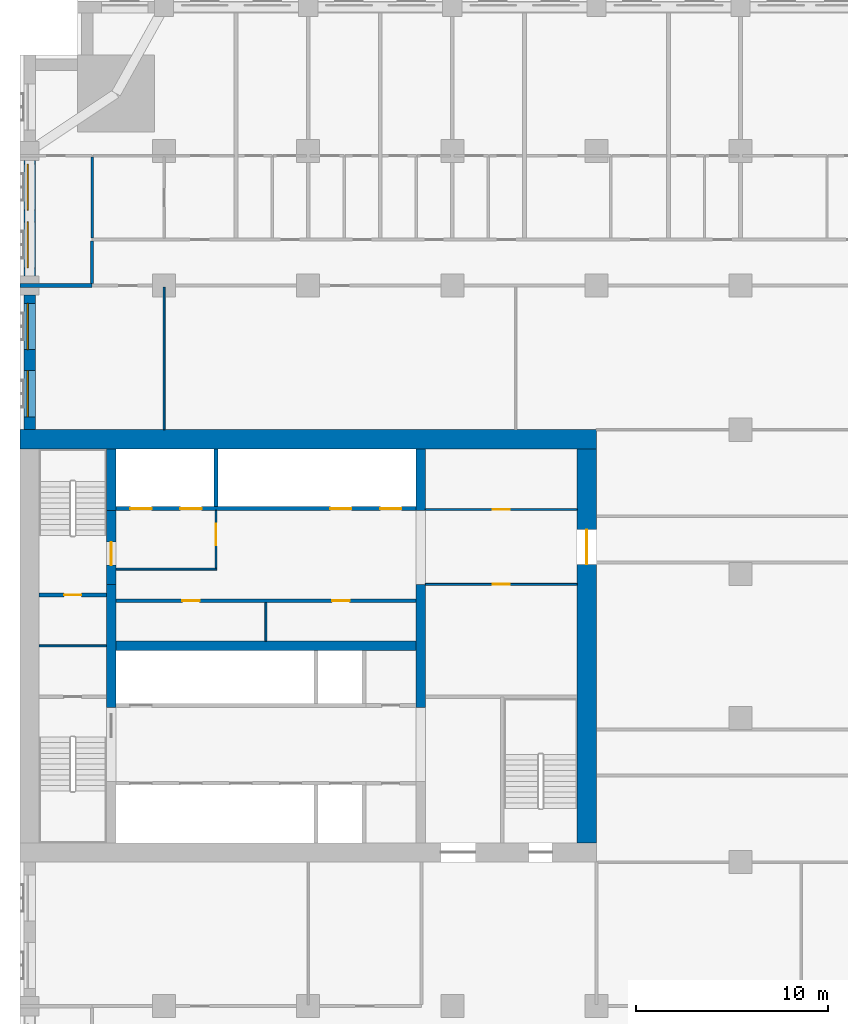
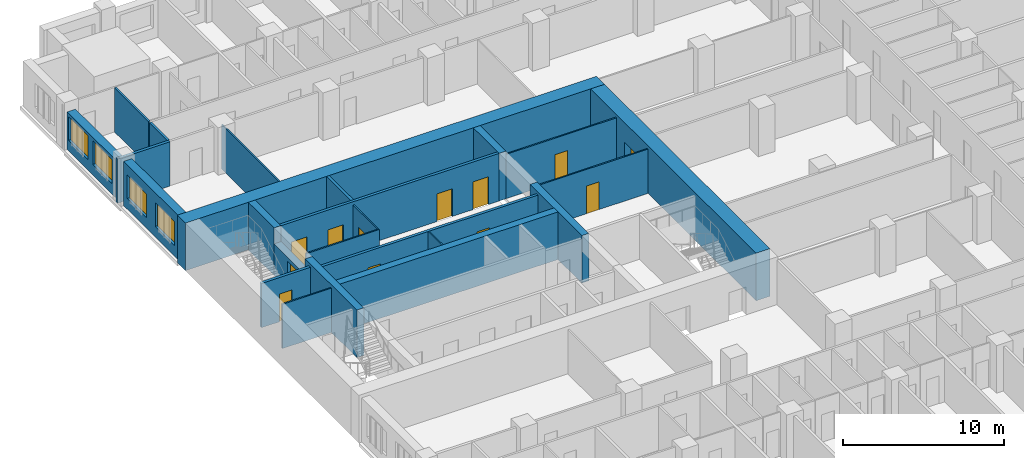
# One storey, part 8 of 15: 24 walls, 12 doors, 4 windows, 16 openings.
"""IFC4 building model written with IfcOpenShell, lengths in metres."""

from ifc_helpers import new_model, si_unit, direction, frame, frame_2d, origin, place, context, subcontext, project, spatial, rectangle, extrude, material, layer, layer_set, type_object, element, fill, save


model = new_model("IFC4")

# Units and contexts
model_context = context("Model", 3, precision=1e-05, world=origin(), true_north=direction((0.0, 1.0)))
body_context = subcontext(model_context, "Body", "Model", "MODEL_VIEW")
ifc_project = project(units=[si_unit("LENGTHUNIT", "METRE"), si_unit("AREAUNIT", "SQUARE_METRE"), si_unit("VOLUMEUNIT", "CUBIC_METRE"), si_unit("PLANEANGLEUNIT", "RADIAN"), si_unit("MASSUNIT", "GRAM", prefix="KILO")], contexts=[model_context])

# Site, building, storey
site_placement = place(None, origin())
site = spatial("IfcSite", under=ifc_project, at=site_placement, CompositionType="ELEMENT")
building_placement = place(site_placement, origin())
building = spatial("IfcBuilding", under=site, at=building_placement, Name="Tamorin Gate", CompositionType="ELEMENT")
storey_placement = place(building_placement, frame((0.0, 0.0, 48.39990234375)))
storey = spatial("IfcBuildingStorey", under=building, at=storey_placement, Name="L10", CompositionType="ELEMENT", Elevation=48.39990234375)

# Wall, openings, windows
ifc_material_1 = material(Name="Precast concrete C40/50", Category="concrete")
ifc_layer_1 = layer(ifc_material_1, 0.60009765625)
ifc_layer_set_1 = layer_set([ifc_layer_1], Name="Precast concrete C40/50")
wall_type_1 = type_object("IfcWallType", Name="Board-marked concrete facade panel 600", PredefinedType="SOLIDWALL", material=ifc_layer_set_1)
wall_1_placement = place(storey_placement, frame((30.5, 96.5, 0.0), z_axis=(0.0, 0.0, 1.0), x_axis=(0.0, -1.0, 0.0)))
wall_1 = element("IfcWall", 1, at=wall_1_placement, inside=storey, type_object=wall_type_1, Name="Facade panel", PredefinedType="SOLIDWALL", context=body_context, shape_type="SweptSolid", body=[
    extrude(rectangle(XDim=6.0, YDim=0.60009765625, at=frame_2d((3.0, 0.0))), origin(), (0.0, 0.0, 1.0), 2.85009765625),
])
opening_1_placement = place(wall_1_placement, frame((3.175048828125, 0.0, 0.800048828125)))
opening_1 = element("IfcOpeningElement", 2, at=opening_1_placement, cuts=wall_1, Name="Opening WN1", PredefinedType="OPENING", context=body_context, shape_type="SweptSolid", body=[
    extrude(rectangle(XDim=2.39990234375, YDim=1.800048828125, at=frame_2d((1.199951171875, 0.89990234375))), frame((0.0, 0.31005859375, 0.0), z_axis=(0.0, -1.0, 0.0), x_axis=(1.0, 0.0, 0.0)), (0.0, 0.0, 1.0), 0.6201171875),
])
opening_2_placement = place(wall_1_placement, frame((0.175048828125, 0.0, 0.800048828125)))
opening_2 = element("IfcOpeningElement", 3, at=opening_2_placement, cuts=wall_1, Name="Opening WN1", PredefinedType="OPENING", context=body_context, shape_type="SweptSolid", body=[
    extrude(rectangle(XDim=2.39990234375, YDim=1.800048828125, at=frame_2d((1.199951171875, 0.89990234375))), frame((0.0, 0.31005859375, 0.0), z_axis=(0.0, -1.0, 0.0), x_axis=(1.0, 0.0, 0.0)), (0.0, 0.0, 1.0), 0.6201171875),
])
ifc_material_2 = material(Name="Clear glass in aluminium frame", Category="aluminium")
window_type = type_object("IfcWindowType", Name="Deep-set window 2400x1800", PartitioningType="SINGLE_PANEL", PredefinedType="WINDOW", material=ifc_material_2)
window_1_placement = place(opening_1_placement, origin())
window_1 = element("IfcWindow", 4, at=window_1_placement, inside=storey, type_object=window_type, Name="Deep-set window", OverallHeight=1.800048828125, OverallWidth=2.39990234375, PartitioningType="SINGLE_PANEL", PredefinedType="WINDOW", context=body_context, shape_type="SweptSolid", body=[
    extrude(rectangle(XDim=2.39990234375, YDim=1.800048828125, at=frame_2d((1.199951171875, 0.89990234375))), frame((0.0, -0.070068359375, 0.0), z_axis=(0.0, -1.0, 0.0), x_axis=(1.0, 0.0, 0.0)), (0.0, 0.0, 1.0), 0.06005859375),
])
fill(opening_1, window_1)
window_2_placement = place(opening_2_placement, origin())
window_2 = element("IfcWindow", 5, at=window_2_placement, inside=storey, type_object=window_type, Name="Deep-set window", OverallHeight=1.800048828125, OverallWidth=2.39990234375, PartitioningType="SINGLE_PANEL", PredefinedType="WINDOW", context=body_context, shape_type="SweptSolid", body=[
    extrude(rectangle(XDim=2.39990234375, YDim=1.800048828125, at=frame_2d((1.199951171875, 0.89990234375))), frame((0.0, -0.070068359375, 0.0), z_axis=(0.0, -1.0, 0.0), x_axis=(1.0, 0.0, 0.0)), (0.0, 0.0, 1.0), 0.06005859375),
])
fill(opening_2, window_2)

wall_2_placement = place(storey_placement, frame((30.5, 89.5, 0.0), z_axis=(0.0, 0.0, 1.0), x_axis=(0.0, -1.0, 0.0)))
wall_2 = element("IfcWall", 6, at=wall_2_placement, inside=storey, type_object=wall_type_1, Name="Facade panel", PredefinedType="SOLIDWALL", context=body_context, shape_type="SweptSolid", body=[
    extrude(rectangle(XDim=7.0, YDim=0.60009765625, at=frame_2d((3.5, 0.0))), origin(), (0.0, 0.0, 1.0), 3.35009765625),
])
opening_3_placement = place(wall_2_placement, frame((3.925048828125, 0.0, 0.800048828125)))
opening_3 = element("IfcOpeningElement", 7, at=opening_3_placement, cuts=wall_2, Name="Opening WN1", PredefinedType="OPENING", context=body_context, shape_type="SweptSolid", body=[
    extrude(rectangle(XDim=2.39990234375, YDim=1.800048828125, at=frame_2d((1.199951171875, 0.89990234375))), frame((0.0, 0.31005859375, 0.0), z_axis=(0.0, -1.0, 0.0), x_axis=(1.0, 0.0, 0.0)), (0.0, 0.0, 1.0), 0.6201171875),
])
opening_4_placement = place(wall_2_placement, frame((0.425048828125, 0.0, 0.800048828125)))
opening_4 = element("IfcOpeningElement", 8, at=opening_4_placement, cuts=wall_2, Name="Opening WN1", PredefinedType="OPENING", context=body_context, shape_type="SweptSolid", body=[
    extrude(rectangle(XDim=2.39990234375, YDim=1.800048828125, at=frame_2d((1.199951171875, 0.89990234375))), frame((0.0, 0.31005859375, 0.0), z_axis=(0.0, -1.0, 0.0), x_axis=(1.0, 0.0, 0.0)), (0.0, 0.0, 1.0), 0.6201171875),
])
window_3_placement = place(opening_3_placement, origin())
window_3 = element("IfcWindow", 9, at=window_3_placement, inside=storey, type_object=window_type, Name="Deep-set window", OverallHeight=1.800048828125, OverallWidth=2.39990234375, PartitioningType="SINGLE_PANEL", PredefinedType="WINDOW", context=body_context, shape_type="SweptSolid", body=[
    extrude(rectangle(XDim=2.39990234375, YDim=1.800048828125, at=frame_2d((1.199951171875, 0.89990234375))), frame((0.0, -0.070068359375, 0.0), z_axis=(0.0, -1.0, 0.0), x_axis=(1.0, 0.0, 0.0)), (0.0, 0.0, 1.0), 0.06005859375),
])
fill(opening_3, window_3)
window_4_placement = place(opening_4_placement, origin())
window_4 = element("IfcWindow", 10, at=window_4_placement, inside=storey, type_object=window_type, Name="Deep-set window", OverallHeight=1.800048828125, OverallWidth=2.39990234375, PartitioningType="SINGLE_PANEL", PredefinedType="WINDOW", context=body_context, shape_type="SweptSolid", body=[
    extrude(rectangle(XDim=2.39990234375, YDim=1.800048828125, at=frame_2d((1.199951171875, 0.89990234375))), frame((0.0, -0.070068359375, 0.0), z_axis=(0.0, -1.0, 0.0), x_axis=(1.0, 0.0, 0.0)), (0.0, 0.0, 1.0), 0.06005859375),
])
fill(opening_4, window_4)

# Walls
ifc_material_3 = material(Name="Gypsum board partition")
ifc_layer_2 = layer(ifc_material_3, 0.14990234375)
ifc_layer_set_2 = layer_set([ifc_layer_2], Name="Corridor wall 150")
wall_type_2 = type_object("IfcWallType", Name="Corridor wall 150", PredefinedType="PARTITIONING", material=ifc_layer_set_2)
wall_3_placement = place(storey_placement, frame((33.75, 90.10009765625, 0.0), z_axis=(0.0, 0.0, 1.0), x_axis=(0.0, 1.0, 0.0)))
element("IfcWall", 11, at=wall_3_placement, inside=storey, type_object=wall_type_2, Name="Corridor wall 150", PredefinedType="PARTITIONING", context=body_context, shape_type="SweptSolid", body=[
    extrude(rectangle(XDim=2.224853515625, YDim=0.14990234375, at=frame_2d((1.1123046875, 0.0))), origin(), (0.0, 0.0, 1.0), 3.35009765625),
])
ifc_layer_3 = layer(ifc_material_3, 0.199951171875)
ifc_layer_set_3 = layer_set([ifc_layer_3], Name="Demising wall 200")
wall_type_3 = type_object("IfcWallType", Name="Demising wall 200", PredefinedType="PARTITIONING", material=ifc_layer_set_3)
wall_4_placement = place(storey_placement, frame((30.0, 90.0, 0.0), z_axis=(0.0, 0.0, 1.0), x_axis=(1.0, 0.0, 0.0)))
element("IfcWall", 12, at=wall_4_placement, inside=storey, type_object=wall_type_3, Name="Demising wall 200", PredefinedType="PARTITIONING", context=body_context, shape_type="SweptSolid", body=[
    extrude(rectangle(XDim=3.75, YDim=0.199951171875, at=frame_2d((1.875, 0.0))), origin(), (0.0, 0.0, 1.0), 3.35009765625),
])

# Wall, openings, doors
ifc_material_4 = material(Name="Concrete C32/40", Category="concrete")
ifc_layer_4 = layer(ifc_material_4, 0.199951171875)
ifc_layer_set_4 = layer_set([ifc_layer_4], Name="Lift lobby face wall 200 EI 120")
wall_type_4 = type_object("IfcWallType", Name="Lift lobby face wall 200 EI 120", PredefinedType="SOLIDWALL", material=ifc_layer_set_4)
wall_5_placement = place(storey_placement, frame((35.0, 78.39990234375, 0.0), z_axis=(0.0, 0.0, 1.0), x_axis=(1.0, 0.0, 0.0)))
wall_5 = element("IfcWall", 13, at=wall_5_placement, inside=storey, type_object=wall_type_4, Name="Lift lobby face wall", PredefinedType="SOLIDWALL", context=body_context, shape_type="SweptSolid", body=[
    extrude(rectangle(XDim=15.60009765625, YDim=0.199951171875, at=frame_2d((7.800048828125, 0.0))), origin(), (0.0, 0.0, 1.0), 3.60009765625),
])
opening_5_placement = place(wall_5_placement, frame((0.75, 0.0, 0.0)))
opening_5 = element("IfcOpeningElement", 14, at=opening_5_placement, cuts=wall_5, Name="Opening LD17", PredefinedType="OPENING", context=body_context, shape_type="SweptSolid", body=[
    extrude(rectangle(XDim=1.10009765625, YDim=2.10009765625, at=frame_2d((0.550048828125, 1.050048828125))), frame((0.0, 0.10986328125, 0.0), z_axis=(0.0, -1.0, 0.0), x_axis=(1.0, 0.0, 0.0)), (0.0, 0.0, 1.0), 0.219970703125),
])
opening_6_placement = place(wall_5_placement, frame((3.35009765625, 0.0, 0.0)))
opening_6 = element("IfcOpeningElement", 15, at=opening_6_placement, cuts=wall_5, Name="Opening LD18", PredefinedType="OPENING", context=body_context, shape_type="SweptSolid", body=[
    extrude(rectangle(XDim=1.10009765625, YDim=2.10009765625, at=frame_2d((0.550048828125, 1.050048828125))), frame((0.0, 0.10986328125, 0.0), z_axis=(0.0, -1.0, 0.0), x_axis=(1.0, 0.0, 0.0)), (0.0, 0.0, 1.0), 0.219970703125),
])
opening_7_placement = place(wall_5_placement, frame((11.14990234375, 0.0, 0.0)))
opening_7 = element("IfcOpeningElement", 16, at=opening_7_placement, cuts=wall_5, Name="Opening LD21", PredefinedType="OPENING", context=body_context, shape_type="SweptSolid", body=[
    extrude(rectangle(XDim=1.10009765625, YDim=2.10009765625, at=frame_2d((0.550048828125, 1.050048828125))), frame((0.0, 0.10986328125, 0.0), z_axis=(0.0, -1.0, 0.0), x_axis=(1.0, 0.0, 0.0)), (0.0, 0.0, 1.0), 0.219970703125),
])
opening_8_placement = place(wall_5_placement, frame((13.75, 0.0, 0.0)))
opening_8 = element("IfcOpeningElement", 17, at=opening_8_placement, cuts=wall_5, Name="Opening LD22", PredefinedType="OPENING", context=body_context, shape_type="SweptSolid", body=[
    extrude(rectangle(XDim=1.10009765625, YDim=2.10009765625, at=frame_2d((0.550048828125, 1.050048828125))), frame((0.0, 0.10986328125, 0.0), z_axis=(0.0, -1.0, 0.0), x_axis=(1.0, 0.0, 0.0)), (0.0, 0.0, 1.0), 0.219970703125),
])
ifc_material_5 = material(Name="Stainless steel sliding door", Category="steel")
door_type_1 = type_object("IfcDoorType", Name="Lift landing door 1100 x 2100 E 90", OperationType="DOUBLE_DOOR_SLIDING", PredefinedType="DOOR", material=ifc_material_5)
door_1_placement = place(opening_5_placement, origin())
door_1 = element("IfcDoor", 18, at=door_1_placement, inside=storey, type_object=door_type_1, Name="FF1 landing door", OperationType="DOUBLE_DOOR_SLIDING", OverallHeight=2.10009765625, OverallWidth=1.10009765625, PredefinedType="DOOR", context=body_context, shape_type="SweptSolid", body=[
    extrude(rectangle(XDim=1.10009765625, YDim=2.10009765625, at=frame_2d((0.550048828125, 1.050048828125))), frame((0.0, 0.02490234375, 0.0), z_axis=(0.0, -1.0, 0.0), x_axis=(1.0, 0.0, 0.0)), (0.0, 0.0, 1.0), 0.050048828125),
])
fill(opening_5, door_1)
door_2_placement = place(opening_6_placement, origin())
door_2 = element("IfcDoor", 19, at=door_2_placement, inside=storey, type_object=door_type_1, Name="FF2 landing door", OperationType="DOUBLE_DOOR_SLIDING", OverallHeight=2.10009765625, OverallWidth=1.10009765625, PredefinedType="DOOR", context=body_context, shape_type="SweptSolid", body=[
    extrude(rectangle(XDim=1.10009765625, YDim=2.10009765625, at=frame_2d((0.550048828125, 1.050048828125))), frame((0.0, 0.02490234375, 0.0), z_axis=(0.0, -1.0, 0.0), x_axis=(1.0, 0.0, 0.0)), (0.0, 0.0, 1.0), 0.050048828125),
])
fill(opening_6, door_2)
door_3_placement = place(opening_7_placement, origin())
door_3 = element("IfcDoor", 20, at=door_3_placement, inside=storey, type_object=door_type_1, Name="SV1 landing door", OperationType="DOUBLE_DOOR_SLIDING", OverallHeight=2.10009765625, OverallWidth=1.10009765625, PredefinedType="DOOR", context=body_context, shape_type="SweptSolid", body=[
    extrude(rectangle(XDim=1.10009765625, YDim=2.10009765625, at=frame_2d((0.550048828125, 1.050048828125))), frame((0.0, 0.02490234375, 0.0), z_axis=(0.0, -1.0, 0.0), x_axis=(1.0, 0.0, 0.0)), (0.0, 0.0, 1.0), 0.050048828125),
])
fill(opening_7, door_3)
door_4_placement = place(opening_8_placement, origin())
door_4 = element("IfcDoor", 21, at=door_4_placement, inside=storey, type_object=door_type_1, Name="SV2 landing door", OperationType="DOUBLE_DOOR_SLIDING", OverallHeight=2.10009765625, OverallWidth=1.10009765625, PredefinedType="DOOR", context=body_context, shape_type="SweptSolid", body=[
    extrude(rectangle(XDim=1.10009765625, YDim=2.10009765625, at=frame_2d((0.550048828125, 1.050048828125))), frame((0.0, 0.02490234375, 0.0), z_axis=(0.0, -1.0, 0.0), x_axis=(1.0, 0.0, 0.0)), (0.0, 0.0, 1.0), 0.050048828125),
])
fill(opening_8, door_4)

# Walls
ifc_layer_5 = layer(ifc_material_4, 0.199951171875)
ifc_layer_set_5 = layer_set([ifc_layer_5], Name="Lift shaft wall 200 EI 120")
wall_type_5 = type_object("IfcWallType", Name="Lift shaft wall 200 EI 120", PredefinedType="SOLIDWALL", material=ifc_layer_set_5)
wall_6_placement = place(storey_placement, frame((40.199951171875, 78.5, 0.0), z_axis=(0.0, 0.0, 1.0), x_axis=(0.0, 1.0, 0.0)))
element("IfcWall", 22, at=wall_6_placement, inside=storey, type_object=wall_type_5, Name="Lift shaft wall", PredefinedType="SOLIDWALL", context=body_context, shape_type="SweptSolid", body=[
    extrude(rectangle(XDim=3.0, YDim=0.199951171875, at=frame_2d((1.5, 0.0))), origin(), (0.0, 0.0, 1.0), 3.60009765625),
])
ifc_material_6 = material(Name="Fire-rated gypsum board partition")
ifc_layer_6 = layer(ifc_material_6, 0.10009765625)
ifc_layer_set_6 = layer_set([ifc_layer_6], Name="Lobby wall 100 EI 60")
wall_type_6 = type_object("IfcWallType", Name="Lobby wall 100 EI 60", PredefinedType="PARTITIONING", material=ifc_layer_set_6)
wall_7_placement = place(storey_placement, frame((35.0, 75.25, 0.0), z_axis=(0.0, 0.0, 1.0), x_axis=(1.0, 0.0, 0.0)))
element("IfcWall", 23, at=wall_7_placement, inside=storey, type_object=wall_type_6, Name="Firefighting lobby wall", PredefinedType="PARTITIONING", context=body_context, shape_type="SweptSolid", body=[
    extrude(rectangle(XDim=5.25, YDim=0.10009765625, at=frame_2d((2.625, 0.0))), origin(), (0.0, 0.0, 1.0), 3.35009765625),
])

# Wall, opening, door
wall_8_placement = place(storey_placement, frame((40.199951171875, 75.300048828125, 0.0), z_axis=(0.0, 0.0, 1.0), x_axis=(0.0, 1.0, 0.0)))
wall_8 = element("IfcWall", 24, at=wall_8_placement, inside=storey, type_object=wall_type_6, Name="Firefighting lobby wall", PredefinedType="PARTITIONING", context=body_context, shape_type="SweptSolid", body=[
    extrude(rectangle(XDim=3.0, YDim=0.10009765625, at=frame_2d((1.5, 0.0))), origin(), (0.0, 0.0, 1.0), 3.35009765625),
])
opening_9_placement = place(wall_8_placement, frame((1.199951171875, 0.0, 0.0)))
opening_9 = element("IfcOpeningElement", 25, at=opening_9_placement, cuts=wall_8, Name="Opening DF1", PredefinedType="OPENING", context=body_context, shape_type="SweptSolid", body=[
    extrude(rectangle(XDim=1.10009765625, YDim=2.10009765625, at=frame_2d((0.550048828125, 1.050048828125))), frame((0.0, 0.06005859375, 0.0), z_axis=(0.0, -1.0, 0.0), x_axis=(1.0, 0.0, 0.0)), (0.0, 0.0, 1.0), 0.1201171875),
])
ifc_material_7 = material(Name="Steel fire door", Category="steel")
door_type_2 = type_object("IfcDoorType", Name="Firefighting lobby door 1100 x 2100 EI 90", OperationType="SINGLE_SWING_LEFT", PredefinedType="DOOR", material=ifc_material_7)
door_5_placement = place(opening_9_placement, origin())
door_5 = element("IfcDoor", 26, at=door_5_placement, inside=storey, type_object=door_type_2, Name="Firefighting lobby door", OperationType="SINGLE_SWING_LEFT", OverallHeight=2.10009765625, OverallWidth=1.10009765625, PredefinedType="DOOR", context=body_context, shape_type="SweptSolid", body=[
    extrude(rectangle(XDim=1.10009765625, YDim=2.10009765625, at=frame_2d((0.550048828125, 1.050048828125))), frame((0.0, 0.02490234375, 0.0), z_axis=(0.0, -1.0, 0.0), x_axis=(1.0, 0.0, 0.0)), (0.0, 0.0, 1.0), 0.050048828125),
])
fill(opening_9, door_5)

# Walls
ifc_material_8 = material(Name="Concrete C80/95", Category="concrete")
ifc_layer_7 = layer(ifc_material_8, 0.5)
ifc_layer_set_7 = layer_set([ifc_layer_7], Name="RC core internal wall 500 C80/95")
wall_type_7 = type_object("IfcWallType", Name="RC core internal wall 500 C80/95", PredefinedType="SHEAR", material=ifc_layer_set_7)
wall_9_placement = place(storey_placement, frame((35.0, 71.25, 0.0), z_axis=(0.0, 0.0, 1.0), x_axis=(1.0, 0.0, 0.0)))
element("IfcWall", 27, at=wall_9_placement, inside=storey, type_object=wall_type_7, Name="Core spine wall L10", PredefinedType="SHEAR", context=body_context, shape_type="SweptSolid", body=[
    extrude(rectangle(XDim=15.60009765625, YDim=0.5, at=frame_2d((7.800048828125, 0.0))), origin(), (0.0, 0.0, 1.0), 3.60009765625),
])
wall_10_placement = place(storey_placement, frame((34.75, 68.050048828125, 0.0), z_axis=(0.0, 0.0, 1.0), x_axis=(0.0, 1.0, 0.0)))
element("IfcWall", 28, at=wall_10_placement, inside=storey, type_object=wall_type_7, Name="Core cross wall L10", PredefinedType="SHEAR", context=body_context, shape_type="SweptSolid", body=[
    extrude(rectangle(XDim=6.39990234375, YDim=0.5, at=frame_2d((3.199951171875, 0.0))), origin(), (0.0, 0.0, 1.0), 3.60009765625),
])
wall_11_placement = place(storey_placement, frame((34.75, 78.300048828125, 0.0), z_axis=(0.0, 0.0, 1.0), x_axis=(0.0, 1.0, 0.0)))
element("IfcWall", 29, at=wall_11_placement, inside=storey, type_object=wall_type_7, Name="Core cross wall L10", PredefinedType="SHEAR", context=body_context, shape_type="SweptSolid", body=[
    extrude(rectangle(XDim=3.199951171875, YDim=0.5, at=frame_2d((1.60009765625, 0.0))), origin(), (0.0, 0.0, 1.0), 3.60009765625),
])
wall_12_placement = place(storey_placement, frame((50.85009765625, 68.050048828125, 0.0), z_axis=(0.0, 0.0, 1.0), x_axis=(0.0, 1.0, 0.0)))
element("IfcWall", 30, at=wall_12_placement, inside=storey, type_object=wall_type_7, Name="Core cross wall L10", PredefinedType="SHEAR", context=body_context, shape_type="SweptSolid", body=[
    extrude(rectangle(XDim=6.39990234375, YDim=0.5, at=frame_2d((3.199951171875, 0.0))), origin(), (0.0, 0.0, 1.0), 3.60009765625),
])
wall_13_placement = place(storey_placement, frame((50.85009765625, 78.300048828125, 0.0), z_axis=(0.0, 0.0, 1.0), x_axis=(0.0, 1.0, 0.0)))
element("IfcWall", 31, at=wall_13_placement, inside=storey, type_object=wall_type_7, Name="Core cross wall L10", PredefinedType="SHEAR", context=body_context, shape_type="SweptSolid", body=[
    extrude(rectangle(XDim=3.199951171875, YDim=0.5, at=frame_2d((1.60009765625, 0.0))), origin(), (0.0, 0.0, 1.0), 3.60009765625),
])
ifc_layer_8 = layer(ifc_material_8, 1.0)
ifc_layer_set_8 = layer_set([ifc_layer_8], Name="RC core wall 1000 C80/95")
wall_type_8 = type_object("IfcWallType", Name="RC core wall 1000 C80/95", PredefinedType="SHEAR", material=ifc_layer_set_8)
wall_14_placement = place(storey_placement, frame((30.0, 82.0, 0.0), z_axis=(0.0, 0.0, 1.0), x_axis=(1.0, 0.0, 0.0)))
element("IfcWall", 32, at=wall_14_placement, inside=storey, type_object=wall_type_8, Name="Core wall L10", PredefinedType="SHEAR", context=body_context, shape_type="SweptSolid", body=[
    extrude(rectangle(XDim=30.0, YDim=1.0, at=frame_2d((15.0, 0.0))), origin(), (0.0, 0.0, 1.0), 3.60009765625),
])

# Wall, opening, door
wall_15_placement = place(storey_placement, frame((59.5, 61.0, 0.0), z_axis=(0.0, 0.0, 1.0), x_axis=(0.0, 1.0, 0.0)))
wall_15 = element("IfcWall", 33, at=wall_15_placement, inside=storey, type_object=wall_type_8, Name="Core wall L10", PredefinedType="SHEAR", context=body_context, shape_type="SweptSolid", body=[
    extrude(rectangle(XDim=20.5, YDim=1.0, at=frame_2d((10.25, 0.0))), origin(), (0.0, 0.0, 1.0), 3.60009765625),
])
opening_10_placement = place(wall_15_placement, frame((14.5, 0.0, 0.0)))
opening_10 = element("IfcOpeningElement", 34, at=opening_10_placement, cuts=wall_15, Name="Opening DE1", PredefinedType="OPENING", context=body_context, shape_type="SweptSolid", body=[
    extrude(rectangle(XDim=1.800048828125, YDim=2.10009765625, at=frame_2d((0.89990234375, 1.050048828125))), frame((0.0, 0.510009765625, 0.0), z_axis=(0.0, -1.0, 0.0), x_axis=(1.0, 0.0, 0.0)), (0.0, 0.0, 1.0), 1.02001953125),
])
door_type_3 = type_object("IfcDoorType", Name="Lobby exit double door 1800 x 2100 EI 60", OperationType="DOUBLE_DOOR_SINGLE_SWING", PredefinedType="DOOR", material=ifc_material_7)
door_6_placement = place(opening_10_placement, origin())
door_6 = element("IfcDoor", 35, at=door_6_placement, inside=storey, type_object=door_type_3, Name="Lift lobby B exit door", OperationType="DOUBLE_DOOR_SINGLE_SWING", OverallHeight=2.10009765625, OverallWidth=1.800048828125, PredefinedType="DOOR", context=body_context, shape_type="SweptSolid", body=[
    extrude(rectangle(XDim=1.800048828125, YDim=2.10009765625, at=frame_2d((0.89990234375, 1.050048828125))), frame((0.0, 0.02490234375, 0.0), z_axis=(0.0, -1.0, 0.0), x_axis=(1.0, 0.0, 0.0)), (0.0, 0.0, 1.0), 0.050048828125),
])
fill(opening_10, door_6)

# Walls
ifc_layer_9 = layer(ifc_material_6, 0.10009765625)
ifc_layer_set_9 = layer_set([ifc_layer_9], Name="Riser partition 100 EI 120")
wall_type_9 = type_object("IfcWallType", Name="Riser partition 100 EI 120", PredefinedType="PARTITIONING", material=ifc_layer_set_9)
wall_16_placement = place(storey_placement, frame((31.0, 71.25, 0.0), z_axis=(0.0, 0.0, 1.0), x_axis=(1.0, 0.0, 0.0)))
element("IfcWall", 36, at=wall_16_placement, inside=storey, type_object=wall_type_9, Name="Riser partition", PredefinedType="PARTITIONING", context=body_context, shape_type="SweptSolid", body=[
    extrude(rectangle(XDim=3.5, YDim=0.10009765625, at=frame_2d((1.75, 0.0))), origin(), (0.0, 0.0, 1.0), 3.35009765625),
])
ifc_layer_10 = layer(ifc_material_3, 0.10009765625)
ifc_layer_set_10 = layer_set([ifc_layer_10], Name="Room partition 100")
wall_type_10 = type_object("IfcWallType", Name="Room partition 100", PredefinedType="PARTITIONING", material=ifc_layer_set_10)
wall_17_placement = place(storey_placement, frame((37.5, 82.5, 0.0), z_axis=(0.0, 0.0, 1.0), x_axis=(0.0, 1.0, 0.0)))
element("IfcWall", 37, at=wall_17_placement, inside=storey, type_object=wall_type_10, Name="Room partition 100", PredefinedType="PARTITIONING", context=body_context, shape_type="SweptSolid", body=[
    extrude(rectangle(XDim=7.425048828125, YDim=0.10009765625, at=frame_2d((3.71240234375, 0.0))), origin(), (0.0, 0.0, 1.0), 3.35009765625),
])

# Wall, openings, doors
ifc_layer_11 = layer(ifc_material_3, 0.199951171875)
ifc_layer_set_11 = layer_set([ifc_layer_11], Name="Service room face wall 200 EI 60")
wall_type_11 = type_object("IfcWallType", Name="Service room face wall 200 EI 60", PredefinedType="PARTITIONING", material=ifc_layer_set_11)
wall_18_placement = place(storey_placement, frame((35.0, 73.60009765625, 0.0), z_axis=(0.0, 0.0, 1.0), x_axis=(1.0, 0.0, 0.0)))
wall_18 = element("IfcWall", 38, at=wall_18_placement, inside=storey, type_object=wall_type_11, Name="Service room face wall", PredefinedType="PARTITIONING", context=body_context, shape_type="SweptSolid", body=[
    extrude(rectangle(XDim=15.60009765625, YDim=0.199951171875, at=frame_2d((7.800048828125, 0.0))), origin(), (0.0, 0.0, 1.0), 3.35009765625),
])
opening_11_placement = place(wall_18_placement, frame((3.449951171875, 0.0, 0.0)))
opening_11 = element("IfcOpeningElement", 39, at=opening_11_placement, cuts=wall_18, Name="Opening DK1", PredefinedType="OPENING", context=body_context, shape_type="SweptSolid", body=[
    extrude(rectangle(XDim=0.89990234375, YDim=2.10009765625, at=frame_2d((0.449951171875, 1.050048828125))), frame((0.0, 0.10986328125, 0.0), z_axis=(0.0, -1.0, 0.0), x_axis=(1.0, 0.0, 0.0)), (0.0, 0.0, 1.0), 0.219970703125),
])
opening_12_placement = place(wall_18_placement, frame((11.25, 0.0, 0.0)))
opening_12 = element("IfcOpeningElement", 40, at=opening_12_placement, cuts=wall_18, Name="Opening DK1", PredefinedType="OPENING", context=body_context, shape_type="SweptSolid", body=[
    extrude(rectangle(XDim=0.89990234375, YDim=2.10009765625, at=frame_2d((0.449951171875, 1.050048828125))), frame((0.0, 0.10986328125, 0.0), z_axis=(0.0, -1.0, 0.0), x_axis=(1.0, 0.0, 0.0)), (0.0, 0.0, 1.0), 0.219970703125),
])
ifc_material_9 = material(Name="Timber fire door", Category="wood")
door_type_4 = type_object("IfcDoorType", Name="Service room door 900 x 2100 EI 60", OperationType="SINGLE_SWING_LEFT", PredefinedType="DOOR", material=ifc_material_9)
door_7_placement = place(opening_11_placement, origin())
door_7 = element("IfcDoor", 41, at=door_7_placement, inside=storey, type_object=door_type_4, Name="Door Housekeeping store", OperationType="SINGLE_SWING_RIGHT", OverallHeight=2.10009765625, OverallWidth=0.89990234375, PredefinedType="DOOR", context=body_context, shape_type="SweptSolid", body=[
    extrude(rectangle(XDim=0.89990234375, YDim=2.10009765625, at=frame_2d((0.449951171875, 1.050048828125))), frame((0.0, 0.02490234375, 0.0), z_axis=(0.0, -1.0, 0.0), x_axis=(1.0, 0.0, 0.0)), (0.0, 0.0, 1.0), 0.050048828125),
])
fill(opening_11, door_7)
door_8_placement = place(opening_12_placement, origin())
door_8 = element("IfcDoor", 42, at=door_8_placement, inside=storey, type_object=door_type_4, Name="Door IT room", OperationType="SINGLE_SWING_LEFT", OverallHeight=2.10009765625, OverallWidth=0.89990234375, PredefinedType="DOOR", context=body_context, shape_type="SweptSolid", body=[
    extrude(rectangle(XDim=0.89990234375, YDim=2.10009765625, at=frame_2d((0.449951171875, 1.050048828125))), frame((0.0, 0.02490234375, 0.0), z_axis=(0.0, -1.0, 0.0), x_axis=(1.0, 0.0, 0.0)), (0.0, 0.0, 1.0), 0.050048828125),
])
fill(opening_12, door_8)

# Wall
ifc_layer_12 = layer(ifc_material_3, 0.10009765625)
ifc_layer_set_12 = layer_set([ifc_layer_12], Name="Service room partition 100 EI 60")
wall_type_12 = type_object("IfcWallType", Name="Service room partition 100 EI 60", PredefinedType="PARTITIONING", material=ifc_layer_set_12)
wall_19_placement = place(storey_placement, frame((42.800048828125, 71.5, 0.0), z_axis=(0.0, 0.0, 1.0), x_axis=(0.0, 1.0, 0.0)))
element("IfcWall", 43, at=wall_19_placement, inside=storey, type_object=wall_type_12, Name="Service room partition", PredefinedType="PARTITIONING", context=body_context, shape_type="SweptSolid", body=[
    extrude(rectangle(XDim=2.0, YDim=0.10009765625, at=frame_2d((1.0, 0.0))), origin(), (0.0, 0.0, 1.0), 3.35009765625),
])

# Wall, opening, door
wall_20_placement = place(storey_placement, frame((51.10009765625, 74.449951171875, 0.0), z_axis=(0.0, 0.0, 1.0), x_axis=(1.0, 0.0, 0.0)))
wall_20 = element("IfcWall", 44, at=wall_20_placement, inside=storey, type_object=wall_type_12, Name="Service room wall", PredefinedType="PARTITIONING", context=body_context, shape_type="SweptSolid", body=[
    extrude(rectangle(XDim=7.89990234375, YDim=0.10009765625, at=frame_2d((3.949951171875, 0.0))), origin(), (0.0, 0.0, 1.0), 3.35009765625),
])
opening_13_placement = place(wall_20_placement, frame((3.5, 0.0, 0.0)))
opening_13 = element("IfcOpeningElement", 45, at=opening_13_placement, cuts=wall_20, Name="Opening DR1", PredefinedType="OPENING", context=body_context, shape_type="SweptSolid", body=[
    extrude(rectangle(XDim=0.89990234375, YDim=2.10009765625, at=frame_2d((0.449951171875, 1.050048828125))), frame((0.0, 0.06005859375, 0.0), z_axis=(0.0, -1.0, 0.0), x_axis=(1.0, 0.0, 0.0)), (0.0, 0.0, 1.0), 0.1201171875),
])
door_type_5 = type_object("IfcDoorType", Name="Riser access door 900 x 2100 EI 120", OperationType="SINGLE_SWING_LEFT", PredefinedType="DOOR", material=ifc_material_7)
door_9_placement = place(opening_13_placement, origin())
door_9 = element("IfcDoor", 46, at=door_9_placement, inside=storey, type_object=door_type_5, Name="Duct riser door", OperationType="SINGLE_SWING_RIGHT", OverallHeight=2.10009765625, OverallWidth=0.89990234375, PredefinedType="DOOR", context=body_context, shape_type="SweptSolid", body=[
    extrude(rectangle(XDim=0.89990234375, YDim=2.10009765625, at=frame_2d((0.449951171875, 1.050048828125))), frame((0.0, 0.02490234375, 0.0), z_axis=(0.0, -1.0, 0.0), x_axis=(1.0, 0.0, 0.0)), (0.0, 0.0, 1.0), 0.050048828125),
])
fill(opening_13, door_9)

wall_21_placement = place(storey_placement, frame((51.10009765625, 78.35009765625, 0.0), z_axis=(0.0, 0.0, 1.0), x_axis=(1.0, 0.0, 0.0)))
wall_21 = element("IfcWall", 47, at=wall_21_placement, inside=storey, type_object=wall_type_12, Name="Service room wall", PredefinedType="PARTITIONING", context=body_context, shape_type="SweptSolid", body=[
    extrude(rectangle(XDim=7.89990234375, YDim=0.10009765625, at=frame_2d((3.949951171875, 0.0))), origin(), (0.0, 0.0, 1.0), 3.35009765625),
])
opening_14_placement = place(wall_21_placement, frame((3.5, 0.0, 0.0)))
opening_14 = element("IfcOpeningElement", 48, at=opening_14_placement, cuts=wall_21, Name="Opening DK1", PredefinedType="OPENING", context=body_context, shape_type="SweptSolid", body=[
    extrude(rectangle(XDim=0.89990234375, YDim=2.10009765625, at=frame_2d((0.449951171875, 1.050048828125))), frame((0.0, 0.06005859375, 0.0), z_axis=(0.0, -1.0, 0.0), x_axis=(1.0, 0.0, 0.0)), (0.0, 0.0, 1.0), 0.1201171875),
])
door_10_placement = place(opening_14_placement, origin())
door_10 = element("IfcDoor", 49, at=door_10_placement, inside=storey, type_object=door_type_4, Name="Door Pantry", OperationType="SINGLE_SWING_RIGHT", OverallHeight=2.10009765625, OverallWidth=0.89990234375, PredefinedType="DOOR", context=body_context, shape_type="SweptSolid", body=[
    extrude(rectangle(XDim=0.89990234375, YDim=2.10009765625, at=frame_2d((0.449951171875, 1.050048828125))), frame((0.0, 0.02490234375, 0.0), z_axis=(0.0, -1.0, 0.0), x_axis=(1.0, 0.0, 0.0)), (0.0, 0.0, 1.0), 0.050048828125),
])
fill(opening_14, door_10)

ifc_material_10 = material(Name="Concrete C40/50", Category="concrete")
ifc_layer_13 = layer(ifc_material_10, 0.199951171875)
ifc_layer_set_13 = layer_set([ifc_layer_13], Name="Stair enclosure wall 200 EI 120 C40/50")
wall_type_13 = type_object("IfcWallType", Name="Stair enclosure wall 200 EI 120 C40/50", PredefinedType="SOLIDWALL", material=ifc_layer_set_13)
wall_22_placement = place(storey_placement, frame((31.0, 73.89990234375, 0.0), z_axis=(0.0, 0.0, 1.0), x_axis=(1.0, 0.0, 0.0)))
wall_22 = element("IfcWall", 50, at=wall_22_placement, inside=storey, type_object=wall_type_13, Name="Stair enclosure wall", PredefinedType="SOLIDWALL", context=body_context, shape_type="SweptSolid", body=[
    extrude(rectangle(XDim=3.5, YDim=0.199951171875, at=frame_2d((1.75, 0.0))), origin(), (0.0, 0.0, 1.0), 3.35009765625),
])
opening_15_placement = place(wall_22_placement, frame((1.300048828125, 0.0, 0.0)))
opening_15 = element("IfcOpeningElement", 51, at=opening_15_placement, cuts=wall_22, Name="Opening DR1", PredefinedType="OPENING", context=body_context, shape_type="SweptSolid", body=[
    extrude(rectangle(XDim=0.89990234375, YDim=2.10009765625, at=frame_2d((0.449951171875, 1.050048828125))), frame((0.0, 0.10986328125, 0.0), z_axis=(0.0, -1.0, 0.0), x_axis=(1.0, 0.0, 0.0)), (0.0, 0.0, 1.0), 0.219970703125),
])
door_11_placement = place(opening_15_placement, origin())
door_11 = element("IfcDoor", 52, at=door_11_placement, inside=storey, type_object=door_type_5, Name="Communications riser door", OperationType="SINGLE_SWING_RIGHT", OverallHeight=2.10009765625, OverallWidth=0.89990234375, PredefinedType="DOOR", context=body_context, shape_type="SweptSolid", body=[
    extrude(rectangle(XDim=0.89990234375, YDim=2.10009765625, at=frame_2d((0.449951171875, 1.050048828125))), frame((0.0, 0.02490234375, 0.0), z_axis=(0.0, -1.0, 0.0), x_axis=(1.0, 0.0, 0.0)), (0.0, 0.0, 1.0), 0.050048828125),
])
fill(opening_15, door_11)

ifc_layer_14 = layer(ifc_material_4, 0.5)
ifc_layer_set_14 = layer_set([ifc_layer_14], Name="Stair lobby infill wall 500 EI 120")
wall_type_14 = type_object("IfcWallType", Name="Stair lobby infill wall 500 EI 120", PredefinedType="SOLIDWALL", material=ifc_layer_set_14)
wall_23_placement = place(storey_placement, frame((34.75, 74.449951171875, 0.0), z_axis=(0.0, 0.0, 1.0), x_axis=(0.0, 1.0, 0.0)))
wall_23 = element("IfcWall", 53, at=wall_23_placement, inside=storey, type_object=wall_type_14, Name="Stair lobby infill wall", PredefinedType="SOLIDWALL", context=body_context, shape_type="SweptSolid", body=[
    extrude(rectangle(XDim=3.85009765625, YDim=0.5, at=frame_2d((1.925048828125, 0.0))), origin(), (0.0, 0.0, 1.0), 2.400146484375),
])
opening_16_placement = place(wall_23_placement, frame((1.0, 0.0, 0.0)))
opening_16 = element("IfcOpeningElement", 54, at=opening_16_placement, cuts=wall_23, Name="Opening DS1", PredefinedType="OPENING", context=body_context, shape_type="SweptSolid", body=[
    extrude(rectangle(XDim=1.199951171875, YDim=2.10009765625, at=frame_2d((0.60009765625, 1.050048828125))), frame((0.0, 0.260009765625, 0.0), z_axis=(0.0, -1.0, 0.0), x_axis=(1.0, 0.0, 0.0)), (0.0, 0.0, 1.0), 0.52001953125),
])
door_type_6 = type_object("IfcDoorType", Name="Stair door 1200 x 2100 EI 90", OperationType="SINGLE_SWING_LEFT", PredefinedType="DOOR", material=ifc_material_7)
door_12_placement = place(opening_16_placement, origin())
door_12 = element("IfcDoor", 55, at=door_12_placement, inside=storey, type_object=door_type_6, Name="ST2 door", OperationType="SINGLE_SWING_RIGHT", OverallHeight=2.10009765625, OverallWidth=1.199951171875, PredefinedType="DOOR", context=body_context, shape_type="SweptSolid", body=[
    extrude(rectangle(XDim=1.199951171875, YDim=2.10009765625, at=frame_2d((0.60009765625, 1.050048828125))), frame((0.0, 0.02490234375, 0.0), z_axis=(0.0, -1.0, 0.0), x_axis=(1.0, 0.0, 0.0)), (0.0, 0.0, 1.0), 0.050048828125),
])
fill(opening_16, door_12)

# Wall
ifc_layer_15 = layer(ifc_material_3, 0.125)
ifc_layer_set_15 = layer_set([ifc_layer_15], Name="Wet wall 125")
wall_type_15 = type_object("IfcWallType", Name="Wet wall 125", PredefinedType="PARTITIONING", material=ifc_layer_set_15)
wall_24_placement = place(storey_placement, frame((33.75, 92.47509765625, 0.0), z_axis=(0.0, 0.0, 1.0), x_axis=(0.0, 1.0, 0.0)))
element("IfcWall", 56, at=wall_24_placement, inside=storey, type_object=wall_type_15, Name="Wet wall 125", PredefinedType="PARTITIONING", context=body_context, shape_type="SweptSolid", body=[
    extrude(rectangle(XDim=4.21240234375, YDim=0.125, at=frame_2d((2.106201171875, 0.0))), origin(), (0.0, 0.0, 1.0), 3.35009765625),
])

save(model, "model.ifc")
